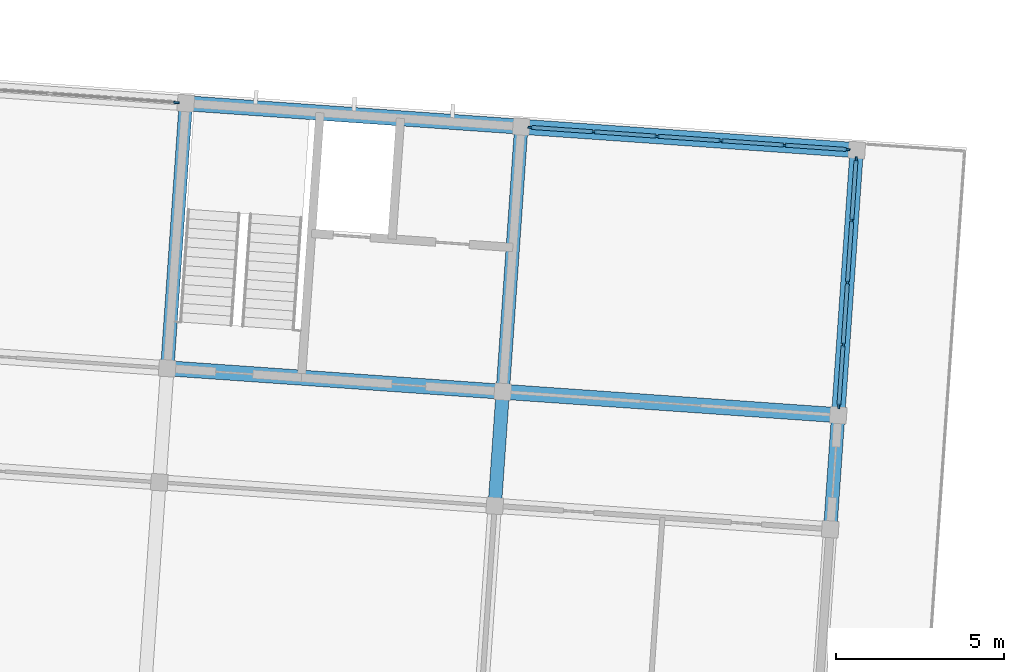
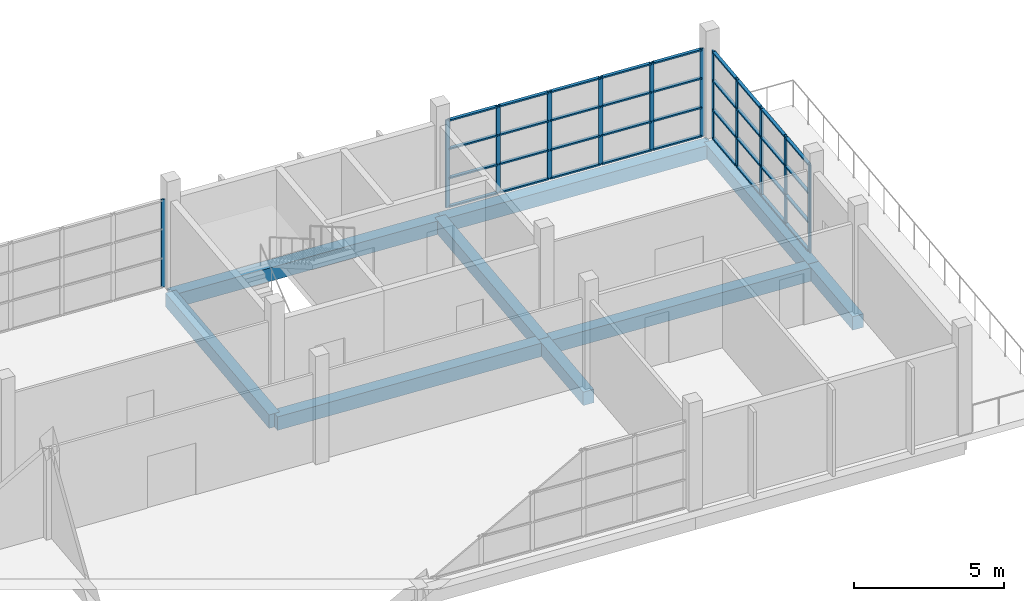
# One storey, part 22 of 50: 48 members, 9 beams, 3 elements without a shape of their own.
"""IFC4 building model written with IfcOpenShell, lengths in metres."""

from ifc_helpers import new_model, si_unit, direction, frame, origin, origin_2d, place, context, subcontext, project, spatial, rectangle, extrude, material, material_profile, profile_set, type_object, element, aggregate, save


model = new_model("IFC4")

# Units and contexts
model_context = context("Model", 3, precision=1e-05, world=origin(), true_north=direction((0.0, 1.0)))
body_context = subcontext(model_context, "Body", "Model", "MODEL_VIEW")
ifc_project = project(units=[si_unit("LENGTHUNIT", "METRE"), si_unit("AREAUNIT", "SQUARE_METRE"), si_unit("VOLUMEUNIT", "CUBIC_METRE"), si_unit("PLANEANGLEUNIT", "RADIAN"), si_unit("MASSUNIT", "GRAM", prefix="KILO")], contexts=[model_context])

# Site, building, storey
site_placement = place(None, origin())
site = spatial("IfcSite", under=ifc_project, at=site_placement, CompositionType="ELEMENT")
building_placement = place(site_placement, origin())
building = spatial("IfcBuilding", under=site, at=building_placement, Name="Windward Yard Aquatics Centre", CompositionType="ELEMENT")
storey_placement = place(building_placement, frame((0.0, 0.0, 18.199951171875)))
storey = spatial("IfcBuildingStorey", under=building, at=storey_placement, Name="L04", CompositionType="ELEMENT", Elevation=18.199951171875)

# Curtain wall, member
ifc_material_1 = material(Name="Aluminium curtain wall system", Category="aluminium")
curtain_wall_type = type_object("IfcCurtainWallType", Name="W curtain wall 1900", PredefinedType="NOTDEFINED", material=ifc_material_1)
curtain_wall_1_placement = place(storey_placement, origin())
curtain_wall_1 = element("IfcCurtainWall", 1, at=curtain_wall_1_placement, inside=storey, type_object=curtain_wall_type, Name="Wing north glazing L04 1", PredefinedType="NOTDEFINED")
ifc_material_2 = material(Name="Aluminium mullion", Category="aluminium")
ifc_material_profile_1 = material_profile(ifc_material_2, rectangle(XDim=0.06005859375, YDim=0.159912109375, at=origin_2d()), Name="AL 60x160")
ifc_profile_set_1 = profile_set([ifc_material_profile_1], Name="Aluminium mullion")
member_type_1 = type_object("IfcMemberType", Name="W CW mullion 60x160", PredefinedType="MULLION", material=ifc_profile_set_1)
member_1_placement = place(storey_placement, frame((148.82568359375, 133.24755859375, 0.0), z_axis=(0.0, 0.0, 1.0), x_axis=(0.06975831617, 0.997563921423, 0.0)))
member_1 = element("IfcMember", 2, at=member_1_placement, type_object=member_type_1, Name="WCW1 mullion 6", PredefinedType="MULLION", context=body_context, shape_type="SweptSolid", body=[
    extrude(rectangle(XDim=0.06005859375, YDim=0.159912109375, at=origin_2d()), origin(), (0.0, 0.0, 1.0), 3.570068359375),
])
aggregate(curtain_wall_1, [member_1])

# Curtain wall, members
curtain_wall_2_placement = place(storey_placement, origin())
curtain_wall_2 = element("IfcCurtainWall", 3, at=curtain_wall_2_placement, inside=storey, type_object=curtain_wall_type, Name="Wing north glazing L04 2", PredefinedType="NOTDEFINED")
member_2_placement = place(storey_placement, frame((159.360107421875, 132.510986328125, 0.0), z_axis=(0.0, 0.0, 1.0), x_axis=(0.069757583664, 0.997563972646, 0.0)))
member_2 = element("IfcMember", 4, at=member_2_placement, type_object=member_type_1, Name="WCW1 mullion 1", PredefinedType="MULLION", context=body_context, shape_type="SweptSolid", body=[
    extrude(rectangle(XDim=0.06005859375, YDim=0.159912109375, at=origin_2d()), origin(), (0.0, 0.0, 1.0), 3.570068359375),
])
member_3_placement = place(storey_placement, frame((161.2255859375, 132.380615234375, 0.0), z_axis=(0.0, 0.0, 1.0), x_axis=(0.069757583664, 0.997563972646, 0.0)))
member_3 = element("IfcMember", 5, at=member_3_placement, type_object=member_type_1, Name="WCW1 mullion 2", PredefinedType="MULLION", context=body_context, shape_type="SweptSolid", body=[
    extrude(rectangle(XDim=0.06005859375, YDim=0.159912109375, at=origin_2d()), origin(), (0.0, 0.0, 1.0), 3.570068359375),
])
member_4_placement = place(storey_placement, frame((163.120849609375, 132.248046875, 0.0), z_axis=(0.0, 0.0, 1.0), x_axis=(0.069757583664, 0.997563972646, 0.0)))
member_4 = element("IfcMember", 6, at=member_4_placement, type_object=member_type_1, Name="WCW1 mullion 3", PredefinedType="MULLION", context=body_context, shape_type="SweptSolid", body=[
    extrude(rectangle(XDim=0.06005859375, YDim=0.159912109375, at=origin_2d()), origin(), (0.0, 0.0, 1.0), 3.570068359375),
])
member_5_placement = place(storey_placement, frame((165.016357421875, 132.115478515625, 0.0), z_axis=(0.0, 0.0, 1.0), x_axis=(0.069757583664, 0.997563972646, 0.0)))
member_5 = element("IfcMember", 7, at=member_5_placement, type_object=member_type_1, Name="WCW1 mullion 4", PredefinedType="MULLION", context=body_context, shape_type="SweptSolid", body=[
    extrude(rectangle(XDim=0.06005859375, YDim=0.159912109375, at=origin_2d()), origin(), (0.0, 0.0, 1.0), 3.570068359375),
])
member_6_placement = place(storey_placement, frame((166.91162109375, 131.98291015625, 0.0), z_axis=(0.0, 0.0, 1.0), x_axis=(0.069757583664, 0.997563972646, 0.0)))
member_6 = element("IfcMember", 8, at=member_6_placement, type_object=member_type_1, Name="WCW1 mullion 5", PredefinedType="MULLION", context=body_context, shape_type="SweptSolid", body=[
    extrude(rectangle(XDim=0.06005859375, YDim=0.159912109375, at=origin_2d()), origin(), (0.0, 0.0, 1.0), 3.570068359375),
])
member_7_placement = place(storey_placement, frame((168.777099609375, 131.8525390625, 0.0), z_axis=(0.0, 0.0, 1.0), x_axis=(0.069757583664, 0.997563972646, 0.0)))
member_7 = element("IfcMember", 9, at=member_7_placement, type_object=member_type_1, Name="WCW1 mullion 6", PredefinedType="MULLION", context=body_context, shape_type="SweptSolid", body=[
    extrude(rectangle(XDim=0.06005859375, YDim=0.159912109375, at=origin_2d()), origin(), (0.0, 0.0, 1.0), 3.570068359375),
])

curtain_wall_3_placement = place(storey_placement, origin())
curtain_wall_3 = element("IfcCurtainWall", 10, at=curtain_wall_3_placement, inside=storey, type_object=curtain_wall_type, Name="Wing east glazing L04 1", PredefinedType="NOTDEFINED")
member_8_placement = place(storey_placement, frame((168.52490234375, 124.2314453125, 0.0), z_axis=(0.0, 0.0, 1.0), x_axis=(-0.997563981923, 0.069757450994, 0.0)))
member_8 = element("IfcMember", 11, at=member_8_placement, type_object=member_type_1, Name="WCW1 mullion 1", PredefinedType="MULLION", context=body_context, shape_type="SweptSolid", body=[
    extrude(rectangle(XDim=0.06005859375, YDim=0.159912109375, at=origin_2d()), origin(), (0.0, 0.0, 1.0), 3.570068359375),
])
member_9_placement = place(storey_placement, frame((168.65185546875, 126.047119140625, 0.0), z_axis=(0.0, 0.0, 1.0), x_axis=(-0.997563981923, 0.069757450994, 0.0)))
member_9 = element("IfcMember", 12, at=member_9_placement, type_object=member_type_1, Name="WCW1 mullion 2", PredefinedType="MULLION", context=body_context, shape_type="SweptSolid", body=[
    extrude(rectangle(XDim=0.06005859375, YDim=0.159912109375, at=origin_2d()), origin(), (0.0, 0.0, 1.0), 3.570068359375),
])
member_10_placement = place(storey_placement, frame((168.781005859375, 127.892578125, 0.0), z_axis=(0.0, 0.0, 1.0), x_axis=(-0.997563981923, 0.069757450994, 0.0)))
member_10 = element("IfcMember", 13, at=member_10_placement, type_object=member_type_1, Name="WCW1 mullion 3", PredefinedType="MULLION", context=body_context, shape_type="SweptSolid", body=[
    extrude(rectangle(XDim=0.06005859375, YDim=0.159912109375, at=origin_2d()), origin(), (0.0, 0.0, 1.0), 3.570068359375),
])
member_11_placement = place(storey_placement, frame((168.909912109375, 129.738037109375, 0.0), z_axis=(0.0, 0.0, 1.0), x_axis=(-0.997563981923, 0.069757450994, 0.0)))
member_11 = element("IfcMember", 14, at=member_11_placement, type_object=member_type_1, Name="WCW1 mullion 4", PredefinedType="MULLION", context=body_context, shape_type="SweptSolid", body=[
    extrude(rectangle(XDim=0.06005859375, YDim=0.159912109375, at=origin_2d()), origin(), (0.0, 0.0, 1.0), 3.570068359375),
])
member_12_placement = place(storey_placement, frame((169.036865234375, 131.553466796875, 0.0), z_axis=(0.0, 0.0, 1.0), x_axis=(-0.997563981923, 0.069757450994, 0.0)))
member_12 = element("IfcMember", 15, at=member_12_placement, type_object=member_type_1, Name="WCW1 mullion 5", PredefinedType="MULLION", context=body_context, shape_type="SweptSolid", body=[
    extrude(rectangle(XDim=0.06005859375, YDim=0.159912109375, at=origin_2d()), origin(), (0.0, 0.0, 1.0), 3.570068359375),
])

# Member
ifc_material_3 = material(Name="Aluminium transom", Category="aluminium")
ifc_material_profile_2 = material_profile(ifc_material_3, rectangle(XDim=0.1201171875, YDim=0.06005859375, at=origin_2d()), Name="AL 120x60")
ifc_profile_set_2 = profile_set([ifc_material_profile_2], Name="Aluminium transom")
member_type_2 = type_object("IfcMemberType", Name="W CW transom 120x60", PredefinedType="USERDEFINED", material=ifc_profile_set_2)
member_13_placement = place(storey_placement, frame((159.389892578125, 132.509033203125, 0.030029296875), z_axis=(0.997556335719, -0.069866709289, 0.0), x_axis=(0.069866709289, 0.997556335719, 0.0)))
member_13 = element("IfcMember", 16, at=member_13_placement, type_object=member_type_2, Name="WCW1 transom 1.1", ObjectType="TRANSOM", PredefinedType="USERDEFINED", context=body_context, shape_type="SweptSolid", body=[
    extrude(rectangle(XDim=0.1201171875, YDim=0.06005859375, at=origin_2d()), origin(), (0.0, 0.0, 1.0), 1.81005859375),
])

member_14_placement = place(storey_placement, frame((159.389892578125, 132.509033203125, 1.18994140625), z_axis=(0.997556335719, -0.069866709289, 0.0), x_axis=(0.069866709289, 0.997556335719, 0.0)))
member_14 = element("IfcMember", 17, at=member_14_placement, type_object=member_type_2, Name="WCW1 transom 1.2", ObjectType="TRANSOM", PredefinedType="USERDEFINED", context=body_context, shape_type="SweptSolid", body=[
    extrude(rectangle(XDim=0.1201171875, YDim=0.06005859375, at=origin_2d()), origin(), (0.0, 0.0, 1.0), 1.81005859375),
])

member_15_placement = place(storey_placement, frame((159.389892578125, 132.509033203125, 2.380126953125), z_axis=(0.997556335719, -0.069866709289, 0.0), x_axis=(0.069866709289, 0.997556335719, 0.0)))
member_15 = element("IfcMember", 18, at=member_15_placement, type_object=member_type_2, Name="WCW1 transom 1.3", ObjectType="TRANSOM", PredefinedType="USERDEFINED", context=body_context, shape_type="SweptSolid", body=[
    extrude(rectangle(XDim=0.1201171875, YDim=0.06005859375, at=origin_2d()), origin(), (0.0, 0.0, 1.0), 1.81005859375),
])

member_16_placement = place(storey_placement, frame((159.389892578125, 132.509033203125, 3.5400390625), z_axis=(0.997556335719, -0.069866709289, 0.0), x_axis=(0.069866709289, 0.997556335719, 0.0)))
member_16 = element("IfcMember", 19, at=member_16_placement, type_object=member_type_2, Name="WCW1 transom 1.4", ObjectType="TRANSOM", PredefinedType="USERDEFINED", context=body_context, shape_type="SweptSolid", body=[
    extrude(rectangle(XDim=0.1201171875, YDim=0.06005859375, at=origin_2d()), origin(), (0.0, 0.0, 1.0), 1.81005859375),
])

member_17_placement = place(storey_placement, frame((161.25537109375, 132.37841796875, 0.030029296875), z_axis=(0.997561369728, -0.069794796552, 0.0), x_axis=(0.069794796552, 0.997561369728, 0.0)))
member_17 = element("IfcMember", 20, at=member_17_placement, type_object=member_type_2, Name="WCW1 transom 2.1", ObjectType="TRANSOM", PredefinedType="USERDEFINED", context=body_context, shape_type="SweptSolid", body=[
    extrude(rectangle(XDim=0.1201171875, YDim=0.06005859375, at=origin_2d()), origin(), (0.0, 0.0, 1.0), 1.83984375),
])

member_18_placement = place(storey_placement, frame((161.25537109375, 132.37841796875, 1.18994140625), z_axis=(0.997561369728, -0.069794796552, 0.0), x_axis=(0.069794796552, 0.997561369728, 0.0)))
member_18 = element("IfcMember", 21, at=member_18_placement, type_object=member_type_2, Name="WCW1 transom 2.2", ObjectType="TRANSOM", PredefinedType="USERDEFINED", context=body_context, shape_type="SweptSolid", body=[
    extrude(rectangle(XDim=0.1201171875, YDim=0.06005859375, at=origin_2d()), origin(), (0.0, 0.0, 1.0), 1.83984375),
])

member_19_placement = place(storey_placement, frame((161.25537109375, 132.37841796875, 2.380126953125), z_axis=(0.997561369728, -0.069794796552, 0.0), x_axis=(0.069794796552, 0.997561369728, 0.0)))
member_19 = element("IfcMember", 22, at=member_19_placement, type_object=member_type_2, Name="WCW1 transom 2.3", ObjectType="TRANSOM", PredefinedType="USERDEFINED", context=body_context, shape_type="SweptSolid", body=[
    extrude(rectangle(XDim=0.1201171875, YDim=0.06005859375, at=origin_2d()), origin(), (0.0, 0.0, 1.0), 1.83984375),
])

member_20_placement = place(storey_placement, frame((161.25537109375, 132.37841796875, 3.5400390625), z_axis=(0.997561369728, -0.069794796552, 0.0), x_axis=(0.069794796552, 0.997561369728, 0.0)))
member_20 = element("IfcMember", 23, at=member_20_placement, type_object=member_type_2, Name="WCW1 transom 2.4", ObjectType="TRANSOM", PredefinedType="USERDEFINED", context=body_context, shape_type="SweptSolid", body=[
    extrude(rectangle(XDim=0.1201171875, YDim=0.06005859375, at=origin_2d()), origin(), (0.0, 0.0, 1.0), 1.83984375),
])

member_21_placement = place(storey_placement, frame((163.15087890625, 132.245849609375, 0.030029296875), z_axis=(0.997570599543, -0.069662751365, 0.0), x_axis=(0.069662751365, 0.997570599543, 0.0)))
member_21 = element("IfcMember", 24, at=member_21_placement, type_object=member_type_2, Name="WCW1 transom 3.1", ObjectType="TRANSOM", PredefinedType="USERDEFINED", context=body_context, shape_type="SweptSolid", body=[
    extrude(rectangle(XDim=0.1201171875, YDim=0.06005859375, at=origin_2d()), origin(), (0.0, 0.0, 1.0), 1.83984375),
])

member_22_placement = place(storey_placement, frame((163.15087890625, 132.245849609375, 1.18994140625), z_axis=(0.997570599543, -0.069662751365, 0.0), x_axis=(0.069662751365, 0.997570599543, 0.0)))
member_22 = element("IfcMember", 25, at=member_22_placement, type_object=member_type_2, Name="WCW1 transom 3.2", ObjectType="TRANSOM", PredefinedType="USERDEFINED", context=body_context, shape_type="SweptSolid", body=[
    extrude(rectangle(XDim=0.1201171875, YDim=0.06005859375, at=origin_2d()), origin(), (0.0, 0.0, 1.0), 1.83984375),
])

member_23_placement = place(storey_placement, frame((163.15087890625, 132.245849609375, 2.380126953125), z_axis=(0.997570599543, -0.069662751365, 0.0), x_axis=(0.069662751365, 0.997570599543, 0.0)))
member_23 = element("IfcMember", 26, at=member_23_placement, type_object=member_type_2, Name="WCW1 transom 3.3", ObjectType="TRANSOM", PredefinedType="USERDEFINED", context=body_context, shape_type="SweptSolid", body=[
    extrude(rectangle(XDim=0.1201171875, YDim=0.06005859375, at=origin_2d()), origin(), (0.0, 0.0, 1.0), 1.83984375),
])

member_24_placement = place(storey_placement, frame((163.15087890625, 132.245849609375, 3.5400390625), z_axis=(0.997570599543, -0.069662751365, 0.0), x_axis=(0.069662751365, 0.997570599543, 0.0)))
member_24 = element("IfcMember", 27, at=member_24_placement, type_object=member_type_2, Name="WCW1 transom 3.4", ObjectType="TRANSOM", PredefinedType="USERDEFINED", context=body_context, shape_type="SweptSolid", body=[
    extrude(rectangle(XDim=0.1201171875, YDim=0.06005859375, at=origin_2d()), origin(), (0.0, 0.0, 1.0), 1.83984375),
])

member_25_placement = place(storey_placement, frame((165.046142578125, 132.11328125, 0.030029296875), z_axis=(0.997570599543, -0.069662751365, 0.0), x_axis=(0.069662751365, 0.997570599543, 0.0)))
member_25 = element("IfcMember", 28, at=member_25_placement, type_object=member_type_2, Name="WCW1 transom 4.1", ObjectType="TRANSOM", PredefinedType="USERDEFINED", context=body_context, shape_type="SweptSolid", body=[
    extrude(rectangle(XDim=0.1201171875, YDim=0.06005859375, at=origin_2d()), origin(), (0.0, 0.0, 1.0), 1.83984375),
])

member_26_placement = place(storey_placement, frame((165.046142578125, 132.11328125, 1.18994140625), z_axis=(0.997570599543, -0.069662751365, 0.0), x_axis=(0.069662751365, 0.997570599543, 0.0)))
member_26 = element("IfcMember", 29, at=member_26_placement, type_object=member_type_2, Name="WCW1 transom 4.2", ObjectType="TRANSOM", PredefinedType="USERDEFINED", context=body_context, shape_type="SweptSolid", body=[
    extrude(rectangle(XDim=0.1201171875, YDim=0.06005859375, at=origin_2d()), origin(), (0.0, 0.0, 1.0), 1.83984375),
])

member_27_placement = place(storey_placement, frame((165.046142578125, 132.11328125, 2.380126953125), z_axis=(0.997570599543, -0.069662751365, 0.0), x_axis=(0.069662751365, 0.997570599543, 0.0)))
member_27 = element("IfcMember", 30, at=member_27_placement, type_object=member_type_2, Name="WCW1 transom 4.3", ObjectType="TRANSOM", PredefinedType="USERDEFINED", context=body_context, shape_type="SweptSolid", body=[
    extrude(rectangle(XDim=0.1201171875, YDim=0.06005859375, at=origin_2d()), origin(), (0.0, 0.0, 1.0), 1.83984375),
])

member_28_placement = place(storey_placement, frame((165.046142578125, 132.11328125, 3.5400390625), z_axis=(0.997570599543, -0.069662751365, 0.0), x_axis=(0.069662751365, 0.997570599543, 0.0)))
member_28 = element("IfcMember", 31, at=member_28_placement, type_object=member_type_2, Name="WCW1 transom 4.4", ObjectType="TRANSOM", PredefinedType="USERDEFINED", context=body_context, shape_type="SweptSolid", body=[
    extrude(rectangle(XDim=0.1201171875, YDim=0.06005859375, at=origin_2d()), origin(), (0.0, 0.0, 1.0), 1.83984375),
])

member_29_placement = place(storey_placement, frame((166.941650390625, 131.98095703125, 0.030029296875), z_axis=(0.997555677199, -0.069876110992, 0.0), x_axis=(0.069876110992, 0.997555677199, 0.0)))
member_29 = element("IfcMember", 32, at=member_29_placement, type_object=member_type_2, Name="WCW1 transom 5.1", ObjectType="TRANSOM", PredefinedType="USERDEFINED", context=body_context, shape_type="SweptSolid", body=[
    extrude(rectangle(XDim=0.1201171875, YDim=0.06005859375, at=origin_2d()), origin(), (0.0, 0.0, 1.0), 1.809814453125),
])

member_30_placement = place(storey_placement, frame((166.941650390625, 131.98095703125, 1.18994140625), z_axis=(0.997555677199, -0.069876110992, 0.0), x_axis=(0.069876110992, 0.997555677199, 0.0)))
member_30 = element("IfcMember", 33, at=member_30_placement, type_object=member_type_2, Name="WCW1 transom 5.2", ObjectType="TRANSOM", PredefinedType="USERDEFINED", context=body_context, shape_type="SweptSolid", body=[
    extrude(rectangle(XDim=0.1201171875, YDim=0.06005859375, at=origin_2d()), origin(), (0.0, 0.0, 1.0), 1.809814453125),
])

member_31_placement = place(storey_placement, frame((166.941650390625, 131.98095703125, 2.380126953125), z_axis=(0.997555677199, -0.069876110992, 0.0), x_axis=(0.069876110992, 0.997555677199, 0.0)))
member_31 = element("IfcMember", 34, at=member_31_placement, type_object=member_type_2, Name="WCW1 transom 5.3", ObjectType="TRANSOM", PredefinedType="USERDEFINED", context=body_context, shape_type="SweptSolid", body=[
    extrude(rectangle(XDim=0.1201171875, YDim=0.06005859375, at=origin_2d()), origin(), (0.0, 0.0, 1.0), 1.809814453125),
])

member_32_placement = place(storey_placement, frame((166.941650390625, 131.98095703125, 3.5400390625), z_axis=(0.997555677199, -0.069876110992, 0.0), x_axis=(0.069876110992, 0.997555677199, 0.0)))
member_32 = element("IfcMember", 35, at=member_32_placement, type_object=member_type_2, Name="WCW1 transom 5.4", ObjectType="TRANSOM", PredefinedType="USERDEFINED", context=body_context, shape_type="SweptSolid", body=[
    extrude(rectangle(XDim=0.1201171875, YDim=0.06005859375, at=origin_2d()), origin(), (0.0, 0.0, 1.0), 1.809814453125),
])

aggregate(curtain_wall_2, [member_2, member_3, member_4, member_5, member_6, member_7, member_13, member_14, member_15, member_16, member_17, member_18, member_19, member_20, member_21, member_22, member_23, member_24, member_25, member_26, member_27, member_28, member_29, member_30, member_31, member_32])

member_33_placement = place(storey_placement, frame((168.527099609375, 124.261474609375, 0.030029296875), z_axis=(0.06963999978, 0.99757218808, 0.0), x_axis=(-0.99757218808, 0.06963999978, 0.0)))
member_33 = element("IfcMember", 36, at=member_33_placement, type_object=member_type_2, Name="WCW1 transom 1.1", ObjectType="TRANSOM", PredefinedType="USERDEFINED", context=body_context, shape_type="SweptSolid", body=[
    extrude(rectangle(XDim=0.1201171875, YDim=0.06005859375, at=origin_2d()), origin(), (0.0, 0.0, 1.0), 1.760009765625),
])

member_34_placement = place(storey_placement, frame((168.527099609375, 124.261474609375, 1.18994140625), z_axis=(0.06963999978, 0.99757218808, 0.0), x_axis=(-0.99757218808, 0.06963999978, 0.0)))
member_34 = element("IfcMember", 37, at=member_34_placement, type_object=member_type_2, Name="WCW1 transom 1.2", ObjectType="TRANSOM", PredefinedType="USERDEFINED", context=body_context, shape_type="SweptSolid", body=[
    extrude(rectangle(XDim=0.1201171875, YDim=0.06005859375, at=origin_2d()), origin(), (0.0, 0.0, 1.0), 1.760009765625),
])

member_35_placement = place(storey_placement, frame((168.527099609375, 124.261474609375, 2.380126953125), z_axis=(0.06963999978, 0.99757218808, 0.0), x_axis=(-0.99757218808, 0.06963999978, 0.0)))
member_35 = element("IfcMember", 38, at=member_35_placement, type_object=member_type_2, Name="WCW1 transom 1.3", ObjectType="TRANSOM", PredefinedType="USERDEFINED", context=body_context, shape_type="SweptSolid", body=[
    extrude(rectangle(XDim=0.1201171875, YDim=0.06005859375, at=origin_2d()), origin(), (0.0, 0.0, 1.0), 1.760009765625),
])

member_36_placement = place(storey_placement, frame((168.527099609375, 124.261474609375, 3.5400390625), z_axis=(0.06963999978, 0.99757218808, 0.0), x_axis=(-0.99757218808, 0.06963999978, 0.0)))
member_36 = element("IfcMember", 39, at=member_36_placement, type_object=member_type_2, Name="WCW1 transom 1.4", ObjectType="TRANSOM", PredefinedType="USERDEFINED", context=body_context, shape_type="SweptSolid", body=[
    extrude(rectangle(XDim=0.1201171875, YDim=0.06005859375, at=origin_2d()), origin(), (0.0, 0.0, 1.0), 1.760009765625),
])

member_37_placement = place(storey_placement, frame((168.654052734375, 126.076904296875, 0.030029296875), z_axis=(0.069696115056, 0.997568269116, 0.0), x_axis=(-0.997568269116, 0.069696115056, 0.0)))
member_37 = element("IfcMember", 40, at=member_37_placement, type_object=member_type_2, Name="WCW1 transom 2.1", ObjectType="TRANSOM", PredefinedType="USERDEFINED", context=body_context, shape_type="SweptSolid", body=[
    extrude(rectangle(XDim=0.1201171875, YDim=0.06005859375, at=origin_2d()), origin(), (0.0, 0.0, 1.0), 1.7900390625),
])

member_38_placement = place(storey_placement, frame((168.654052734375, 126.076904296875, 1.18994140625), z_axis=(0.069696115056, 0.997568269116, 0.0), x_axis=(-0.997568269116, 0.069696115056, 0.0)))
member_38 = element("IfcMember", 41, at=member_38_placement, type_object=member_type_2, Name="WCW1 transom 2.2", ObjectType="TRANSOM", PredefinedType="USERDEFINED", context=body_context, shape_type="SweptSolid", body=[
    extrude(rectangle(XDim=0.1201171875, YDim=0.06005859375, at=origin_2d()), origin(), (0.0, 0.0, 1.0), 1.7900390625),
])

member_39_placement = place(storey_placement, frame((168.654052734375, 126.076904296875, 2.380126953125), z_axis=(0.069696115056, 0.997568269116, 0.0), x_axis=(-0.997568269116, 0.069696115056, 0.0)))
member_39 = element("IfcMember", 42, at=member_39_placement, type_object=member_type_2, Name="WCW1 transom 2.3", ObjectType="TRANSOM", PredefinedType="USERDEFINED", context=body_context, shape_type="SweptSolid", body=[
    extrude(rectangle(XDim=0.1201171875, YDim=0.06005859375, at=origin_2d()), origin(), (0.0, 0.0, 1.0), 1.7900390625),
])

member_40_placement = place(storey_placement, frame((168.654052734375, 126.076904296875, 3.5400390625), z_axis=(0.069696115056, 0.997568269116, 0.0), x_axis=(-0.997568269116, 0.069696115056, 0.0)))
member_40 = element("IfcMember", 43, at=member_40_placement, type_object=member_type_2, Name="WCW1 transom 2.4", ObjectType="TRANSOM", PredefinedType="USERDEFINED", context=body_context, shape_type="SweptSolid", body=[
    extrude(rectangle(XDim=0.1201171875, YDim=0.06005859375, at=origin_2d()), origin(), (0.0, 0.0, 1.0), 1.7900390625),
])

member_41_placement = place(storey_placement, frame((168.782958984375, 127.92236328125, 0.030029296875), z_axis=(0.069831842205, 0.997558777123, 0.0), x_axis=(-0.997558777123, 0.069831842205, 0.0)))
member_41 = element("IfcMember", 44, at=member_41_placement, type_object=member_type_2, Name="WCW1 transom 3.1", ObjectType="TRANSOM", PredefinedType="USERDEFINED", context=body_context, shape_type="SweptSolid", body=[
    extrude(rectangle(XDim=0.1201171875, YDim=0.06005859375, at=origin_2d()), origin(), (0.0, 0.0, 1.0), 1.7900390625),
])

member_42_placement = place(storey_placement, frame((168.782958984375, 127.92236328125, 1.18994140625), z_axis=(0.069831842205, 0.997558777123, 0.0), x_axis=(-0.997558777123, 0.069831842205, 0.0)))
member_42 = element("IfcMember", 45, at=member_42_placement, type_object=member_type_2, Name="WCW1 transom 3.2", ObjectType="TRANSOM", PredefinedType="USERDEFINED", context=body_context, shape_type="SweptSolid", body=[
    extrude(rectangle(XDim=0.1201171875, YDim=0.06005859375, at=origin_2d()), origin(), (0.0, 0.0, 1.0), 1.7900390625),
])

member_43_placement = place(storey_placement, frame((168.782958984375, 127.92236328125, 2.380126953125), z_axis=(0.069831842205, 0.997558777123, 0.0), x_axis=(-0.997558777123, 0.069831842205, 0.0)))
member_43 = element("IfcMember", 46, at=member_43_placement, type_object=member_type_2, Name="WCW1 transom 3.3", ObjectType="TRANSOM", PredefinedType="USERDEFINED", context=body_context, shape_type="SweptSolid", body=[
    extrude(rectangle(XDim=0.1201171875, YDim=0.06005859375, at=origin_2d()), origin(), (0.0, 0.0, 1.0), 1.7900390625),
])

member_44_placement = place(storey_placement, frame((168.782958984375, 127.92236328125, 3.5400390625), z_axis=(0.069831842205, 0.997558777123, 0.0), x_axis=(-0.997558777123, 0.069831842205, 0.0)))
member_44 = element("IfcMember", 47, at=member_44_placement, type_object=member_type_2, Name="WCW1 transom 3.4", ObjectType="TRANSOM", PredefinedType="USERDEFINED", context=body_context, shape_type="SweptSolid", body=[
    extrude(rectangle(XDim=0.1201171875, YDim=0.06005859375, at=origin_2d()), origin(), (0.0, 0.0, 1.0), 1.7900390625),
])

member_45_placement = place(storey_placement, frame((168.912109375, 129.76806640625, 0.030029296875), z_axis=(0.069778050098, 0.99756254126, 0.0), x_axis=(-0.99756254126, 0.069778050098, 0.0)))
member_45 = element("IfcMember", 48, at=member_45_placement, type_object=member_type_2, Name="WCW1 transom 4.1", ObjectType="TRANSOM", PredefinedType="USERDEFINED", context=body_context, shape_type="SweptSolid", body=[
    extrude(rectangle(XDim=0.1201171875, YDim=0.06005859375, at=origin_2d()), origin(), (0.0, 0.0, 1.0), 1.760009765625),
])

member_46_placement = place(storey_placement, frame((168.912109375, 129.76806640625, 1.18994140625), z_axis=(0.069778050098, 0.99756254126, 0.0), x_axis=(-0.99756254126, 0.069778050098, 0.0)))
member_46 = element("IfcMember", 49, at=member_46_placement, type_object=member_type_2, Name="WCW1 transom 4.2", ObjectType="TRANSOM", PredefinedType="USERDEFINED", context=body_context, shape_type="SweptSolid", body=[
    extrude(rectangle(XDim=0.1201171875, YDim=0.06005859375, at=origin_2d()), origin(), (0.0, 0.0, 1.0), 1.760009765625),
])

member_47_placement = place(storey_placement, frame((168.912109375, 129.76806640625, 2.380126953125), z_axis=(0.069778050098, 0.99756254126, 0.0), x_axis=(-0.99756254126, 0.069778050098, 0.0)))
member_47 = element("IfcMember", 50, at=member_47_placement, type_object=member_type_2, Name="WCW1 transom 4.3", ObjectType="TRANSOM", PredefinedType="USERDEFINED", context=body_context, shape_type="SweptSolid", body=[
    extrude(rectangle(XDim=0.1201171875, YDim=0.06005859375, at=origin_2d()), origin(), (0.0, 0.0, 1.0), 1.760009765625),
])

member_48_placement = place(storey_placement, frame((168.912109375, 129.76806640625, 3.5400390625), z_axis=(0.069778050098, 0.99756254126, 0.0), x_axis=(-0.99756254126, 0.069778050098, 0.0)))
member_48 = element("IfcMember", 51, at=member_48_placement, type_object=member_type_2, Name="WCW1 transom 4.4", ObjectType="TRANSOM", PredefinedType="USERDEFINED", context=body_context, shape_type="SweptSolid", body=[
    extrude(rectangle(XDim=0.1201171875, YDim=0.06005859375, at=origin_2d()), origin(), (0.0, 0.0, 1.0), 1.760009765625),
])

aggregate(curtain_wall_3, [member_8, member_9, member_10, member_11, member_12, member_33, member_34, member_35, member_36, member_37, member_38, member_39, member_40, member_41, member_42, member_43, member_44, member_45, member_46, member_47, member_48])

# Beams
ifc_material_4 = material(Name="Concrete C40/50", Category="concrete")
ifc_material_profile_3 = material_profile(ifc_material_4, rectangle(XDim=0.39990234375, YDim=0.550048828125, at=origin_2d()), Name="RC 400x550")
ifc_profile_set_3 = profile_set([ifc_material_profile_3], Name="Concrete C40/50")
beam_type_1 = type_object("IfcBeamType", Name="W RC 400x550 beam Concrete C40/50", PredefinedType="BEAM", material=ifc_profile_set_3)
beam_1_placement = place(storey_placement, frame((148.553955078125, 125.347412109375, -0.554931640625), z_axis=(0.069751320509, 0.997564410596, 0.0), x_axis=(-0.997564410596, 0.069751320509, 0.0)))
element("IfcBeam", 52, at=beam_1_placement, inside=storey, type_object=beam_type_1, Name="W.BV.L04.5.C", PredefinedType="BEAM", context=body_context, shape_type="SweptSolid", body=[
    extrude(rectangle(XDim=0.39990234375, YDim=0.550048828125, at=origin_2d()), origin(), (0.0, 0.0, 1.0), 7.89990234375),
])
beam_2_placement = place(storey_placement, frame((158.29248046875, 121.258056640625, -0.554931640625), z_axis=(0.069797686069, 0.997561167558, 0.0), x_axis=(-0.997561167558, 0.069797686069, 0.0)))
element("IfcBeam", 53, at=beam_2_placement, inside=storey, type_object=beam_type_1, Name="W.BV.L04.6.B", PredefinedType="BEAM", context=body_context, shape_type="SweptSolid", body=[
    extrude(rectangle(XDim=0.39990234375, YDim=0.550048828125, at=origin_2d()), origin(), (0.0, 0.0, 1.0), 3.39990234375),
])
beam_3_placement = place(storey_placement, frame((158.52978515625, 124.649658203125, -0.554931640625), z_axis=(0.0697491702, 0.997564560947, 0.0), x_axis=(-0.997564560947, 0.0697491702, 0.0)))
element("IfcBeam", 54, at=beam_3_placement, inside=storey, type_object=beam_type_1, Name="W.BV.L04.6.C", PredefinedType="BEAM", context=body_context, shape_type="SweptSolid", body=[
    extrude(rectangle(XDim=0.39990234375, YDim=0.550048828125, at=origin_2d()), origin(), (0.0, 0.0, 1.0), 7.900146484375),
])
beam_4_placement = place(storey_placement, frame((168.26806640625, 120.560546875, -0.554931640625), z_axis=(0.069797686069, 0.997561167558, 0.0), x_axis=(-0.997561167558, 0.069797686069, 0.0)))
element("IfcBeam", 55, at=beam_4_placement, inside=storey, type_object=beam_type_1, Name="W.BV.L04.7.B", PredefinedType="BEAM", context=body_context, shape_type="SweptSolid", body=[
    extrude(rectangle(XDim=0.39990234375, YDim=0.550048828125, at=origin_2d()), origin(), (0.0, 0.0, 1.0), 3.39990234375),
])
beam_5_placement = place(storey_placement, frame((168.50537109375, 123.9521484375, -0.554931640625), z_axis=(0.0697491702, 0.997564560947, 0.0), x_axis=(-0.997564560947, 0.0697491702, 0.0)))
element("IfcBeam", 56, at=beam_5_placement, inside=storey, type_object=beam_type_1, Name="W.BV.L04.7.C", PredefinedType="BEAM", context=body_context, shape_type="SweptSolid", body=[
    extrude(rectangle(XDim=0.39990234375, YDim=0.550048828125, at=origin_2d()), origin(), (0.0, 0.0, 1.0), 7.900146484375),
])
ifc_material_profile_4 = material_profile(ifc_material_4, rectangle(XDim=0.449951171875, YDim=0.550048828125, at=origin_2d()), Name="RC 450x550")
ifc_profile_set_4 = profile_set([ifc_material_profile_4], Name="Concrete C40/50")
beam_type_2 = type_object("IfcBeamType", Name="W RC 450x550 beam Concrete C40/50", PredefinedType="BEAM", material=ifc_profile_set_4)
beam_6_placement = place(storey_placement, frame((148.553955078125, 125.347412109375, -0.554931640625), z_axis=(0.997562826017, -0.069773979021, 0.0), x_axis=(0.069773979021, 0.997562826017, 0.0)))
element("IfcBeam", 57, at=beam_6_placement, inside=storey, type_object=beam_type_2, Name="W.BU.L04.3.5", PredefinedType="BEAM", context=body_context, shape_type="SweptSolid", body=[
    extrude(rectangle(XDim=0.449951171875, YDim=0.550048828125, at=origin_2d()), origin(), (0.0, 0.0, 1.0), 10.000244140625),
])
beam_7_placement = place(storey_placement, frame((158.52978515625, 124.649658203125, -0.554931640625), z_axis=(0.997564406228, -0.069751382981, 0.0), x_axis=(0.069751382981, 0.997564406228, 0.0)))
element("IfcBeam", 58, at=beam_7_placement, inside=storey, type_object=beam_type_2, Name="W.BU.L04.3.6", PredefinedType="BEAM", context=body_context, shape_type="SweptSolid", body=[
    extrude(rectangle(XDim=0.449951171875, YDim=0.550048828125, at=origin_2d()), origin(), (0.0, 0.0, 1.0), 10.0),
])
beam_8_placement = place(storey_placement, frame((149.10498046875, 133.22802734375, -0.554931640625), z_axis=(0.997564525005, -0.069749684245, 0.0), x_axis=(0.069749684245, 0.997564525005, 0.0)))
element("IfcBeam", 59, at=beam_8_placement, inside=storey, type_object=beam_type_2, Name="W.BU.L04.4.5", PredefinedType="BEAM", context=body_context, shape_type="SweptSolid", body=[
    extrude(rectangle(XDim=0.449951171875, YDim=0.550048828125, at=origin_2d()), origin(), (0.0, 0.0, 1.0), 10.000244140625),
])
beam_9_placement = place(storey_placement, frame((159.080810546875, 132.530517578125, -0.554931640625), z_axis=(0.997564406228, -0.069751382981, 0.0), x_axis=(0.069751382981, 0.997564406228, 0.0)))
element("IfcBeam", 60, at=beam_9_placement, inside=storey, type_object=beam_type_2, Name="W.BU.L04.4.6", PredefinedType="BEAM", context=body_context, shape_type="SweptSolid", body=[
    extrude(rectangle(XDim=0.449951171875, YDim=0.550048828125, at=origin_2d()), origin(), (0.0, 0.0, 1.0), 10.0),
])

save(model, "model.ifc")
